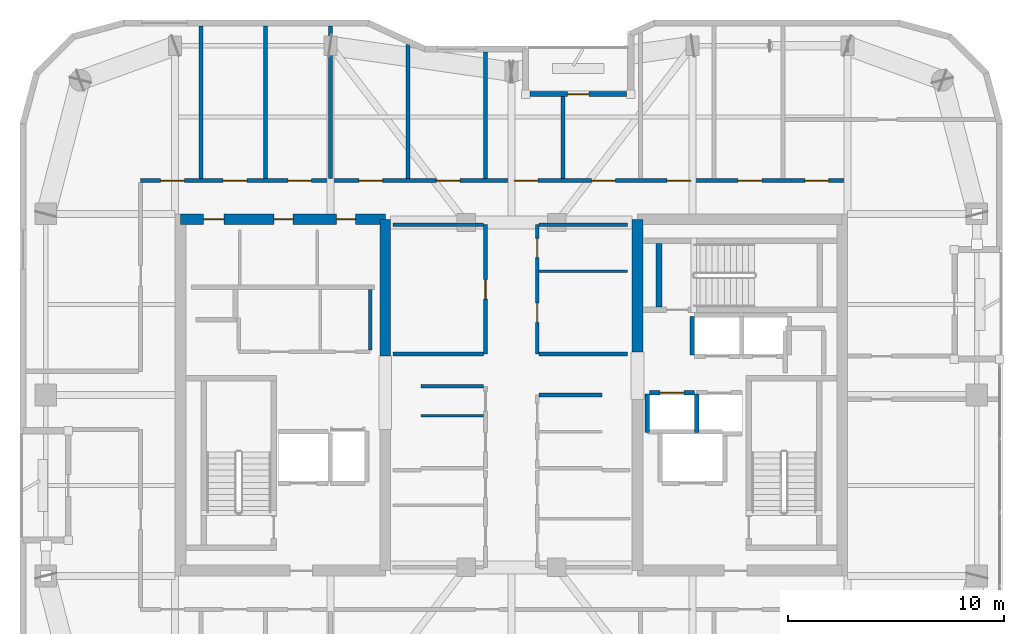
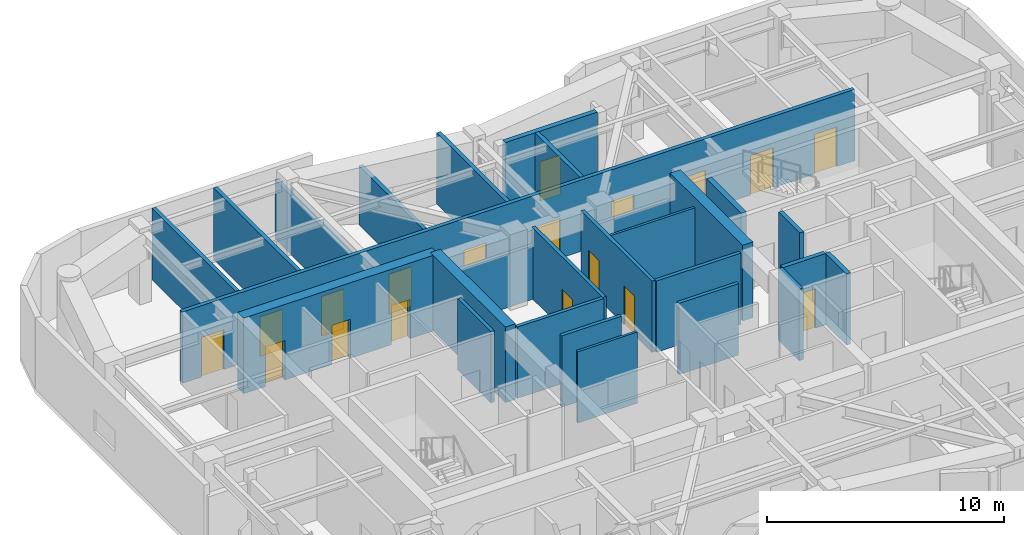
# One storey, part 12 of 16: 27 walls, 18 doors, 18 openings.
"""IFC4 building model written with IfcOpenShell, lengths in metres."""

import ifcopenshell
import ifcopenshell.guid

model = None  # the IFC model being written
_history = None  # IfcOwnerHistory: only IFC2X3 demands one
_inside = {}  # id of a spatial element -> (the spatial element, [elements in it])
_under = {}  # id of a project, library or spatial element -> (it, [spatial elements below it])
_declared = {}  # id of a project -> (the project, [libraries it declares])
_typed = {}  # id of a type object -> (the type object, [elements of that type])
_made_of = {}  # id of a material, layer set ... -> (it, [elements and type objects made of it])


def new_model(schema):
    """Start an empty IFC model of exactly this schema.

    Asked for "IFC4X3", IfcOpenShell would pick the latest addendum, in which some entities
    have other attributes; the version numbers below select the first issue.
    IFC2X3 requires an IfcOwnerHistory on every rooted entity: one is made here for all.
    """
    global model, _history
    if schema == "IFC4X3":
        model = ifcopenshell.file(schema_version=(4, 3, 0, 0))
    else:
        model = ifcopenshell.file(schema=schema)
    _inside.clear()
    _under.clear()
    _declared.clear()
    _typed.clear()
    _made_of.clear()
    _history = None
    if model.schema == "IFC2X3":
        org = make("IfcOrganization", Name="unknown")
        user = make(
            "IfcPersonAndOrganization",
            ThePerson=make("IfcPerson", FamilyName="unknown"),
            TheOrganization=org,
        )
        app = make(
            "IfcApplication",
            ApplicationDeveloper=org,
            Version="unknown",
            ApplicationFullName="unknown",
            ApplicationIdentifier="unknown",
        )
        _history = make(
            "IfcOwnerHistory",
            OwningUser=user,
            OwningApplication=app,
            ChangeAction="ADDED",
            CreationDate=0,
        )
    return model


def make(cls, **values):
    """One entity of the class cls with the attributes given. An attribute that is None is left unset."""
    return model.create_entity(
        cls, **{name: value for name, value in values.items() if value is not None}
    )


def rooted(cls, **values):
    """An entity with a GlobalId (a new one), such as an element, a storey or a relation."""
    return make(cls, GlobalId=ifcopenshell.guid.new(), OwnerHistory=_history, **values)


def si_unit(unit_type, name, prefix=None):
    """IfcSIUnit, for example si_unit("LENGTHUNIT", "METRE", prefix="MILLI")."""
    return make("IfcSIUnit", UnitType=unit_type, Prefix=prefix, Name=name)


def assignment(units):
    """IfcUnitAssignment: the units of a project."""
    return None if units is None else make("IfcUnitAssignment", Units=units)


def point(xyz):
    """IfcCartesianPoint."""
    return None if xyz is None else make("IfcCartesianPoint", Coordinates=xyz)


def direction(xyz):
    """IfcDirection."""
    return None if xyz is None else make("IfcDirection", DirectionRatios=xyz)


def frame(location, z_axis=None, x_axis=None):
    """IfcAxis2Placement3D, a coordinate frame: its origin and axes. An axis left out is left unset."""
    return make(
        "IfcAxis2Placement3D",
        Location=point(location),
        Axis=direction(z_axis),
        RefDirection=direction(x_axis),
    )


def frame_2d(location, x_axis=None):
    """IfcAxis2Placement2D, a coordinate frame in the plane: its origin and x axis."""
    return make(
        "IfcAxis2Placement2D", Location=point(location), RefDirection=direction(x_axis)
    )


def origin():
    """The frame at (0, 0, 0) with its axes left unset."""
    return frame((0.0, 0.0, 0.0))


def place(relative_to, where):
    """IfcLocalPlacement: puts the frame where relative to a parent placement (None: the world)."""
    return make(
        "IfcLocalPlacement", PlacementRelTo=relative_to, RelativePlacement=where
    )


def context(
    kind, dimensions, precision=None, world=None, true_north=None, identifier=None
):
    """IfcGeometricRepresentationContext, for example the 3D "Model" context."""
    return make(
        "IfcGeometricRepresentationContext",
        ContextIdentifier=identifier,
        ContextType=kind,
        CoordinateSpaceDimension=dimensions,
        Precision=precision,
        WorldCoordinateSystem=world,
        TrueNorth=true_north,
    )


def subcontext(parent, identifier, kind, view, scale=None):
    """IfcGeometricRepresentationSubContext, for example "Body" below "Model"."""
    return make(
        "IfcGeometricRepresentationSubContext",
        ContextIdentifier=identifier,
        ContextType=kind,
        ParentContext=parent,
        TargetScale=scale,
        TargetView=view,
    )


def project(units=None, contexts=None):
    """IfcProject with its units and contexts."""
    return rooted(
        "IfcProject",
        Name="project",
        RepresentationContexts=contexts,
        UnitsInContext=assignment(units),
    )


def spatial(cls, under=None, at=None, **own):
    """A site, building, storey or space (cls), placed at a placement, below another one or the project."""
    s = rooted(cls, ObjectPlacement=at, **own)
    if under is not None:
        _under.setdefault(under.id(), (under, []))[1].append(s)
    return s


def profile(cls, at=None, kind="AREA", **sizes):
    """A parametric profile (cls). Its sizes go by their IFC names, for example OverallWidth=200.0."""
    return make(cls, ProfileType=kind, Position=at, **sizes)


def rectangle(**sizes):
    """IfcRectangleProfileDef."""
    return profile("IfcRectangleProfileDef", **sizes)


def extrude(swept, where, along, depth):
    """IfcExtrudedAreaSolid: the profile swept, set in the frame where, extruded along a direction by depth."""
    return make(
        "IfcExtrudedAreaSolid",
        SweptArea=swept,
        Position=where,
        ExtrudedDirection=direction(along),
        Depth=depth,
    )


def shape(context_of_items, identifier, shape_type, items):
    """IfcShapeRepresentation: the items that make up one representation, for example the "Body"."""
    return make(
        "IfcShapeRepresentation",
        ContextOfItems=context_of_items,
        RepresentationIdentifier=identifier,
        RepresentationType=shape_type,
        Items=items,
    )


def material(Name=None, Category=None):
    """IfcMaterial."""
    return make("IfcMaterial", Name=Name, Category=Category)


def layer(
    of_material, thickness, ventilated=None, Name=None, Category=None, Priority=None
):
    """IfcMaterialLayer: one layer of a wall or slab, of a material (None: an air gap)."""
    return make(
        "IfcMaterialLayer",
        Material=of_material,
        LayerThickness=thickness,
        IsVentilated=ventilated,
        Name=Name,
        Category=Category,
        Priority=Priority,
    )


def layer_set(layers, Name=None):
    """IfcMaterialLayerSet."""
    return make("IfcMaterialLayerSet", MaterialLayers=layers, LayerSetName=Name)


def made_of(thing, what):
    """Note that an element or type object is made of a material, layer set ...; save() writes the relation."""
    if what is not None:
        _made_of.setdefault(what.id(), (what, []))[1].append(thing)
    return thing


def type_object(cls, material=None, **own):
    """A type object (cls), such as IfcWallType, which elements share."""
    return made_of(rooted(cls, **own), material)


def element(
    cls,
    number,
    at=None,
    inside=None,
    cuts=None,
    type_object=None,
    material=None,
    context=None,
    identifier="Body",
    shape_type=None,
    held_by="IfcProductDefinitionShape",
    body=None,
    shapes=None,
    **own,
):
    """One element of the class cls, such as IfcWall. Its Tag is "e" and its number.

    at: its placement. inside: the storey or other place that contains it. cuts: it is an
    opening in that element (IfcRelVoidsElement). A single representation is given by context,
    identifier, shape_type and body (its items); several are given by shapes. held_by: the class
    of the entity that holds the representations. save() writes the other relations.
    """
    e = rooted(cls, Tag="e%d" % number, ObjectPlacement=at, **own)
    if body is not None:
        shapes = [shape(context, identifier, shape_type, body)]
    if shapes is not None:
        e.Representation = make(held_by, Representations=shapes)
    if inside is not None:
        _inside.setdefault(inside.id(), (inside, []))[1].append(e)
    if cuts is not None:
        rooted(
            "IfcRelVoidsElement", RelatingBuildingElement=cuts, RelatedOpeningElement=e
        )
    if type_object is not None:
        _typed.setdefault(type_object.id(), (type_object, []))[1].append(e)
    return made_of(e, material)


def fill(opening, filler):
    """IfcRelFillsElement: the door or window that sits in an opening."""
    return rooted(
        "IfcRelFillsElement",
        RelatingOpeningElement=opening,
        RelatedBuildingElement=filler,
    )


def aggregate(whole, parts):
    """IfcRelAggregates: a whole, such as a stair, and the parts it consists of."""
    return rooted("IfcRelAggregates", RelatingObject=whole, RelatedObjects=parts)


def save(model, path):
    """Write the relations noted so far, then the file.

    IfcRelAggregates (storeys below a building ...), IfcRelContainedInSpatialStructure (elements
    in a storey), IfcRelDefinesByType, IfcRelAssociatesMaterial and IfcRelDeclares: one each for
    every whole, place, type object, material and project.
    """
    for whole, parts in _under.values():
        aggregate(whole, parts)
    for where, things in _inside.values():
        rooted(
            "IfcRelContainedInSpatialStructure",
            RelatedElements=things,
            RelatingStructure=where,
        )
    for kind, things in _typed.values():
        rooted("IfcRelDefinesByType", RelatedObjects=things, RelatingType=kind)
    for what, things in _made_of.values():
        rooted("IfcRelAssociatesMaterial", RelatedObjects=things, RelatingMaterial=what)
    for by, libraries in _declared.values():
        rooted("IfcRelDeclares", RelatingContext=by, RelatedDefinitions=libraries)
    model.write(path)


model = new_model("IFC4")

# Units and contexts
model_context = context("Model", 3, precision=1e-05, world=origin(), true_north=direction((0.0, 1.0)))
body_context = subcontext(model_context, "Body", "Model", "MODEL_VIEW")
ifc_project = project(units=[si_unit("LENGTHUNIT", "METRE"), si_unit("AREAUNIT", "SQUARE_METRE"), si_unit("VOLUMEUNIT", "CUBIC_METRE"), si_unit("PLANEANGLEUNIT", "RADIAN"), si_unit("MASSUNIT", "GRAM", prefix="KILO")], contexts=[model_context])

# Site, building, storey
site_placement = place(None, origin())
site = spatial("IfcSite", under=ifc_project, at=site_placement, CompositionType="ELEMENT")
building_placement = place(site_placement, origin())
building = spatial("IfcBuilding", under=site, at=building_placement, Name="Kiyonajd Concourse Tower", CompositionType="ELEMENT")
storey_placement = place(building_placement, frame((0.0, 0.0, 298.5)))
storey = spatial("IfcBuildingStorey", under=building, at=storey_placement, Name="L75", CompositionType="ELEMENT", Elevation=298.5)

# Wall
ifc_material_1 = material(Name="Concrete C60/75", Category="concrete")
ifc_layer_1 = layer(ifc_material_1, 0.5)
ifc_layer_set_1 = layer_set([ifc_layer_1], Name="Concrete C60/75")
wall_type_1 = type_object("IfcWallType", Name="WL-CORE-500", PredefinedType="SHEAR", material=ifc_layer_set_1)
wall_1_placement = place(storey_placement, frame((42.14990234375, 37.800048828125, 0.0), z_axis=(0.0, 0.0, 1.0), x_axis=(0.0, 1.0, 0.0)))
element("IfcWall", 1, at=wall_1_placement, inside=storey, type_object=wall_type_1, Name="L75 West Core Inner North Shear Wall", PredefinedType="SHEAR", context=body_context, shape_type="SweptSolid", body=[
    extrude(rectangle(XDim=6.349853515625, YDim=0.5, at=frame_2d((3.1748046875, 0.0))), origin(), (0.0, 0.0, 1.0), 3.89990234375),
])

# Wall, openings, doors
wall_2_placement = place(storey_placement, frame((32.64990234375, 44.14990234375, 0.0), z_axis=(0.0, 0.0, 1.0), x_axis=(1.0, 0.0, 0.0)))
wall_2 = element("IfcWall", 2, at=wall_2_placement, inside=storey, type_object=wall_type_1, Name="L75 West Core North Shear Wall", PredefinedType="SHEAR", context=body_context, shape_type="SweptSolid", body=[
    extrude(rectangle(XDim=9.5, YDim=0.5, at=frame_2d((4.75, 0.0))), origin(), (0.0, 0.0, 1.0), 3.89990234375),
])
opening_1_placement = place(wall_2_placement, frame((1.074951171875, 0.0, 0.0)))
opening_1 = element("IfcOpeningElement", 3, at=opening_1_placement, cuts=wall_2, Name="Opening DI1", PredefinedType="OPENING", context=body_context, shape_type="SweptSolid", body=[
    extrude(rectangle(XDim=0.949951171875, YDim=2.0400390625, at=frame_2d((0.47509765625, 1.02001953125))), frame((0.0, 0.260009765625, 0.0), z_axis=(0.0, -1.0, 0.0), x_axis=(1.0, 0.0, 0.0)), (0.0, 0.0, 1.0), 0.52001953125),
])
opening_2_placement = place(wall_2_placement, frame((4.324951171875, 0.0, 0.0)))
opening_2 = element("IfcOpeningElement", 4, at=opening_2_placement, cuts=wall_2, Name="Opening DI2", PredefinedType="OPENING", context=body_context, shape_type="SweptSolid", body=[
    extrude(rectangle(XDim=0.89990234375, YDim=2.02001953125, at=frame_2d((0.449951171875, 1.010009765625))), frame((0.0, 0.260009765625, 0.0), z_axis=(0.0, -1.0, 0.0), x_axis=(1.0, 0.0, 0.0)), (0.0, 0.0, 1.0), 0.52001953125),
])
opening_3_placement = place(wall_2_placement, frame((7.22509765625, 0.0, 0.0)))
opening_3 = element("IfcOpeningElement", 5, at=opening_3_placement, cuts=wall_2, Name="Opening DI2", PredefinedType="OPENING", context=body_context, shape_type="SweptSolid", body=[
    extrude(rectangle(XDim=0.89990234375, YDim=2.02001953125, at=frame_2d((0.449951171875, 1.010009765625))), frame((0.0, 0.260009765625, 0.0), z_axis=(0.0, -1.0, 0.0), x_axis=(1.0, 0.0, 0.0)), (0.0, 0.0, 1.0), 0.52001953125),
])
ifc_material_2 = material(Name="Natural Oak Acoustic Timber Veneer", Category="wood")
door_type_1 = type_object("IfcDoorType", Name="DR-INT-900", OperationType="NOTDEFINED", PredefinedType="DOOR", material=ifc_material_2)
door_1_placement = place(opening_2_placement, origin())
door_1 = element("IfcDoor", 6, at=door_1_placement, inside=storey, type_object=door_type_1, Name="L75 Male Restroom Door", OperationType="SINGLE_SWING_RIGHT", OverallHeight=2.02001953125, OverallWidth=0.89990234375, PredefinedType="DOOR", context=body_context, shape_type="SweptSolid", body=[
    extrude(rectangle(XDim=0.89990234375, YDim=2.02001953125, at=frame_2d((0.449951171875, 1.010009765625))), frame((0.0, 0.02490234375, 0.0), z_axis=(0.0, -1.0, 0.0), x_axis=(1.0, 0.0, 0.0)), (0.0, 0.0, 1.0), 0.050048828125),
])
fill(opening_2, door_1)
door_2_placement = place(opening_3_placement, origin())
door_2 = element("IfcDoor", 7, at=door_2_placement, inside=storey, type_object=door_type_1, Name="L75 Female Restroom Door", OperationType="SINGLE_SWING_LEFT", OverallHeight=2.02001953125, OverallWidth=0.89990234375, PredefinedType="DOOR", context=body_context, shape_type="SweptSolid", body=[
    extrude(rectangle(XDim=0.89990234375, YDim=2.02001953125, at=frame_2d((0.449951171875, 1.010009765625))), frame((0.0, 0.02490234375, 0.0), z_axis=(0.0, -1.0, 0.0), x_axis=(1.0, 0.0, 0.0)), (0.0, 0.0, 1.0), 0.050048828125),
])
fill(opening_3, door_2)
door_type_2 = type_object("IfcDoorType", Name="DR-INT-950", OperationType="NOTDEFINED", PredefinedType="DOOR", material=ifc_material_2)
door_3_placement = place(opening_1_placement, origin())
door_3 = element("IfcDoor", 8, at=door_3_placement, inside=storey, type_object=door_type_2, Name="L75 Single User Accessible WC Door", OperationType="SINGLE_SWING_LEFT", OverallHeight=2.0400390625, OverallWidth=0.949951171875, PredefinedType="DOOR", context=body_context, shape_type="SweptSolid", body=[
    extrude(rectangle(XDim=0.949951171875, YDim=2.0400390625, at=frame_2d((0.47509765625, 1.02001953125))), frame((0.0, 0.02490234375, 0.0), z_axis=(0.0, -1.0, 0.0), x_axis=(1.0, 0.0, 0.0)), (0.0, 0.0, 1.0), 0.050048828125),
])
fill(opening_1, door_3)

# Wall
wall_3_placement = place(storey_placement, frame((53.85009765625, 38.0, 0.0), z_axis=(0.0, 0.0, 1.0), x_axis=(0.0, 1.0, 0.0)))
element("IfcWall", 9, at=wall_3_placement, inside=storey, type_object=wall_type_1, Name="L75 East Core Inner North Shear Wall", PredefinedType="SHEAR", context=body_context, shape_type="SweptSolid", body=[
    extrude(rectangle(XDim=6.14990234375, YDim=0.5, at=frame_2d((3.074951171875, 0.0))), origin(), (0.0, 0.0, 1.0), 3.89990234375),
])

# Wall, opening, door
ifc_material_3 = material(Name="Precast concrete C50/60", Category="concrete")
ifc_layer_2 = layer(ifc_material_3, 0.239990234375)
ifc_layer_set_2 = layer_set([ifc_layer_2], Name="Precast concrete C50/60")
wall_type_2 = type_object("IfcWallType", Name="WL-LOG-240", PredefinedType="SOLIDWALL", material=ifc_layer_set_2)
wall_4_placement = place(storey_placement, frame((48.85498046875, 49.9599609375, 0.0), z_axis=(0.0, 0.0, 1.0), x_axis=(1.0, 0.0, 0.0)))
wall_4 = element("IfcWall", 10, at=wall_4_placement, inside=storey, type_object=wall_type_2, Name="L75 Recessed Loggia Thermal Wall LOG-N", PredefinedType="SOLIDWALL", context=body_context, shape_type="SweptSolid", body=[
    extrude(rectangle(XDim=4.489990234375, YDim=0.239990234375, at=frame_2d((2.2451171875, 0.0))), origin(), (0.0, 0.0, 1.0), 3.679931640625),
])
opening_4_placement = place(wall_4_placement, frame((1.7451171875, 0.0, 0.0)))
opening_4 = element("IfcOpeningElement", 11, at=opening_4_placement, cuts=wall_4, Name="Opening DL1", PredefinedType="OPENING", context=body_context, shape_type="SweptSolid", body=[
    extrude(rectangle(XDim=1.0, YDim=2.02001953125, at=frame_2d((0.5, 1.010009765625))), frame((0.0, 0.1298828125, 0.0), z_axis=(0.0, -1.0, 0.0), x_axis=(1.0, 0.0, 0.0)), (0.0, 0.0, 1.0), 0.260009765625),
])
ifc_material_4 = material(Name="Thermally Broken Anodised Aluminium", Category="aluminium")
door_type_3 = type_object("IfcDoorType", Name="DR-LOG-1000", OperationType="NOTDEFINED", PredefinedType="DOOR", material=ifc_material_4)
door_4_placement = place(opening_4_placement, origin())
door_4 = element("IfcDoor", 12, at=door_4_placement, inside=storey, type_object=door_type_3, Name="L75 Engawa Loggia Access Door LOG-N", OperationType="SINGLE_SWING_RIGHT", OverallHeight=2.02001953125, OverallWidth=1.0, PredefinedType="DOOR", context=body_context, shape_type="SweptSolid", body=[
    extrude(rectangle(XDim=1.0, YDim=2.02001953125, at=frame_2d((0.5, 1.010009765625))), frame((0.0, 0.02490234375, 0.0), z_axis=(0.0, -1.0, 0.0), x_axis=(1.0, 0.0, 0.0)), (0.0, 0.0, 1.0), 0.050048828125),
])
fill(opening_4, door_4)

# Walls
ifc_material_5 = material(Name="Gypsum Board on Cold-Formed Steel Stud", Category="steel")
ifc_layer_3 = layer(ifc_material_5, 0.125)
ifc_layer_set_3 = layer_set([ifc_layer_3], Name="Gypsum Board on Cold-Formed Steel Stud")
wall_type_3 = type_object("IfcWallType", Name="WL-PART-125", PredefinedType="PARTITIONING", material=ifc_layer_set_3)
wall_5_placement = place(storey_placement, frame((43.800048828125, 35.031982421875, 0.0), z_axis=(0.0, 0.0, 1.0), x_axis=(1.0, 0.0, 0.0)))
element("IfcWall", 13, at=wall_5_placement, inside=storey, type_object=wall_type_3, Name="L75 Interior Partition Wall", PredefinedType="PARTITIONING", context=body_context, shape_type="SweptSolid", body=[
    extrude(rectangle(XDim=2.912841796875, YDim=0.125, at=frame_2d((1.45654296875, 0.0))), origin(), (0.0, 0.0, 1.0), 3.679931640625),
])
wall_6_placement = place(storey_placement, frame((49.287109375, 41.739990234375, 0.0), z_axis=(0.0, 0.0, 1.0), x_axis=(1.0, 0.0, 0.0)))
element("IfcWall", 14, at=wall_6_placement, inside=storey, type_object=wall_type_3, Name="L75 Interior Partition Wall", PredefinedType="PARTITIONING", context=body_context, shape_type="SweptSolid", body=[
    extrude(rectangle(XDim=4.11279296875, YDim=0.125, at=frame_2d((2.056396484375, 0.0))), origin(), (0.0, 0.0, 1.0), 3.679931640625),
])

# Wall, openings, doors
ifc_layer_4 = layer(ifc_material_5, 0.18994140625)
ifc_layer_set_4 = layer_set([ifc_layer_4], Name="Gypsum Board on Cold-Formed Steel Stud")
wall_type_4 = type_object("IfcWallType", Name="WL-PLMB-190", PredefinedType="PLUMBINGWALL", material=ifc_layer_set_4)
wall_7_placement = place(storey_placement, frame((30.800048828125, 45.949951171875, 0.0), z_axis=(0.0, 0.0, 1.0), x_axis=(1.0, 0.0, 0.0)))
wall_7 = element("IfcWall", 15, at=wall_7_placement, inside=storey, type_object=wall_type_4, Name="L75 Interior Partition Wall", PredefinedType="PLUMBINGWALL", context=body_context, shape_type="SweptSolid", body=[
    extrude(rectangle(XDim=32.800048828125, YDim=0.18994140625, at=frame_2d((16.39990234375, 0.0))), origin(), (0.0, 0.0, 1.0), 3.679931640625),
])
opening_5_placement = place(wall_7_placement, frame((0.925048828125, 0.0, 0.0)))
opening_5 = element("IfcOpeningElement", 16, at=opening_5_placement, cuts=wall_7, Name="Opening DF2", PredefinedType="OPENING", context=body_context, shape_type="SweptSolid", body=[
    extrude(rectangle(XDim=1.10009765625, YDim=2.050048828125, at=frame_2d((0.550048828125, 1.02490234375))), frame((0.0, 0.10498046875, 0.0), z_axis=(0.0, -1.0, 0.0), x_axis=(1.0, 0.0, 0.0)), (0.0, 0.0, 1.0), 0.2099609375),
])
opening_6_placement = place(wall_7_placement, frame((3.824951171875, 0.0, 0.0)))
opening_6 = element("IfcOpeningElement", 17, at=opening_6_placement, cuts=wall_7, Name="Opening DF2", PredefinedType="OPENING", context=body_context, shape_type="SweptSolid", body=[
    extrude(rectangle(XDim=1.10009765625, YDim=2.050048828125, at=frame_2d((0.550048828125, 1.02490234375))), frame((0.0, 0.10498046875, 0.0), z_axis=(0.0, -1.0, 0.0), x_axis=(1.0, 0.0, 0.0)), (0.0, 0.0, 1.0), 0.2099609375),
])
opening_7_placement = place(wall_7_placement, frame((6.824951171875, 0.0, 0.0)))
opening_7 = element("IfcOpeningElement", 18, at=opening_7_placement, cuts=wall_7, Name="Opening DF2", PredefinedType="OPENING", context=body_context, shape_type="SweptSolid", body=[
    extrude(rectangle(XDim=1.10009765625, YDim=2.050048828125, at=frame_2d((0.550048828125, 1.02490234375))), frame((0.0, 0.10498046875, 0.0), z_axis=(0.0, -1.0, 0.0), x_axis=(1.0, 0.0, 0.0)), (0.0, 0.0, 1.0), 0.2099609375),
])
opening_8_placement = place(wall_7_placement, frame((10.125, 0.0, 0.0)))
opening_8 = element("IfcOpeningElement", 19, at=opening_8_placement, cuts=wall_7, Name="Opening DF2", PredefinedType="OPENING", context=body_context, shape_type="SweptSolid", body=[
    extrude(rectangle(XDim=1.10009765625, YDim=2.050048828125, at=frame_2d((0.550048828125, 1.02490234375))), frame((0.0, 0.10498046875, 0.0), z_axis=(0.0, -1.0, 0.0), x_axis=(1.0, 0.0, 0.0)), (0.0, 0.0, 1.0), 0.2099609375),
])
opening_9_placement = place(wall_7_placement, frame((13.72509765625, 0.0, 0.0)))
opening_9 = element("IfcOpeningElement", 20, at=opening_9_placement, cuts=wall_7, Name="Opening DF2", PredefinedType="OPENING", context=body_context, shape_type="SweptSolid", body=[
    extrude(rectangle(XDim=1.10009765625, YDim=2.050048828125, at=frame_2d((0.550048828125, 1.02490234375))), frame((0.0, 0.10498046875, 0.0), z_axis=(0.0, -1.0, 0.0), x_axis=(1.0, 0.0, 0.0)), (0.0, 0.0, 1.0), 0.2099609375),
])
opening_10_placement = place(wall_7_placement, frame((17.324951171875, 0.0, 0.0)))
opening_10 = element("IfcOpeningElement", 21, at=opening_10_placement, cuts=wall_7, Name="Opening DF2", PredefinedType="OPENING", context=body_context, shape_type="SweptSolid", body=[
    extrude(rectangle(XDim=1.10009765625, YDim=2.050048828125, at=frame_2d((0.550048828125, 1.02490234375))), frame((0.0, 0.10498046875, 0.0), z_axis=(0.0, -1.0, 0.0), x_axis=(1.0, 0.0, 0.0)), (0.0, 0.0, 1.0), 0.2099609375),
])
opening_11_placement = place(wall_7_placement, frame((20.925048828125, 0.0, 0.0)))
opening_11 = element("IfcOpeningElement", 22, at=opening_11_placement, cuts=wall_7, Name="Opening DF2", PredefinedType="OPENING", context=body_context, shape_type="SweptSolid", body=[
    extrude(rectangle(XDim=1.10009765625, YDim=2.050048828125, at=frame_2d((0.550048828125, 1.02490234375))), frame((0.0, 0.10498046875, 0.0), z_axis=(0.0, -1.0, 0.0), x_axis=(1.0, 0.0, 0.0)), (0.0, 0.0, 1.0), 0.2099609375),
])
opening_12_placement = place(wall_7_placement, frame((24.425048828125, 0.0, 0.0)))
opening_12 = element("IfcOpeningElement", 23, at=opening_12_placement, cuts=wall_7, Name="Opening DF2", PredefinedType="OPENING", context=body_context, shape_type="SweptSolid", body=[
    extrude(rectangle(XDim=1.10009765625, YDim=2.050048828125, at=frame_2d((0.550048828125, 1.02490234375))), frame((0.0, 0.10498046875, 0.0), z_axis=(0.0, -1.0, 0.0), x_axis=(1.0, 0.0, 0.0)), (0.0, 0.0, 1.0), 0.2099609375),
])
opening_13_placement = place(wall_7_placement, frame((27.72509765625, 0.0, 0.0)))
opening_13 = element("IfcOpeningElement", 24, at=opening_13_placement, cuts=wall_7, Name="Opening DF2", PredefinedType="OPENING", context=body_context, shape_type="SweptSolid", body=[
    extrude(rectangle(XDim=1.10009765625, YDim=2.050048828125, at=frame_2d((0.550048828125, 1.02490234375))), frame((0.0, 0.10498046875, 0.0), z_axis=(0.0, -1.0, 0.0), x_axis=(1.0, 0.0, 0.0)), (0.0, 0.0, 1.0), 0.2099609375),
])
opening_14_placement = place(wall_7_placement, frame((30.824951171875, 0.0, 0.0)))
opening_14 = element("IfcOpeningElement", 25, at=opening_14_placement, cuts=wall_7, Name="Opening DF2", PredefinedType="OPENING", context=body_context, shape_type="SweptSolid", body=[
    extrude(rectangle(XDim=1.10009765625, YDim=2.050048828125, at=frame_2d((0.550048828125, 1.02490234375))), frame((0.0, 0.10498046875, 0.0), z_axis=(0.0, -1.0, 0.0), x_axis=(1.0, 0.0, 0.0)), (0.0, 0.0, 1.0), 0.2099609375),
])
ifc_material_6 = material(Name="Brushed Stainless Steel Cab Assembly", Category="steel")
door_type_4 = type_object("IfcDoorType", Name="DR-FD90-1100", OperationType="NOTDEFINED", PredefinedType="DOOR", material=ifc_material_6)
door_5_placement = place(opening_5_placement, origin())
door_5 = element("IfcDoor", 26, at=door_5_placement, inside=storey, type_object=door_type_4, Name="L75 Interior Door", OperationType="SINGLE_SWING_RIGHT", OverallHeight=2.050048828125, OverallWidth=1.10009765625, PredefinedType="DOOR", context=body_context, shape_type="SweptSolid", body=[
    extrude(rectangle(XDim=1.10009765625, YDim=2.050048828125, at=frame_2d((0.550048828125, 1.02490234375))), frame((0.0, 0.02490234375, 0.0), z_axis=(0.0, -1.0, 0.0), x_axis=(1.0, 0.0, 0.0)), (0.0, 0.0, 1.0), 0.050048828125),
])
fill(opening_5, door_5)
door_6_placement = place(opening_6_placement, origin())
door_6 = element("IfcDoor", 27, at=door_6_placement, inside=storey, type_object=door_type_4, Name="L75 Interior Door", OperationType="SINGLE_SWING_LEFT", OverallHeight=2.050048828125, OverallWidth=1.10009765625, PredefinedType="DOOR", context=body_context, shape_type="SweptSolid", body=[
    extrude(rectangle(XDim=1.10009765625, YDim=2.050048828125, at=frame_2d((0.550048828125, 1.02490234375))), frame((0.0, 0.02490234375, 0.0), z_axis=(0.0, -1.0, 0.0), x_axis=(1.0, 0.0, 0.0)), (0.0, 0.0, 1.0), 0.050048828125),
])
fill(opening_6, door_6)
door_7_placement = place(opening_7_placement, origin())
door_7 = element("IfcDoor", 28, at=door_7_placement, inside=storey, type_object=door_type_4, Name="L75 Interior Door", OperationType="SINGLE_SWING_RIGHT", OverallHeight=2.050048828125, OverallWidth=1.10009765625, PredefinedType="DOOR", context=body_context, shape_type="SweptSolid", body=[
    extrude(rectangle(XDim=1.10009765625, YDim=2.050048828125, at=frame_2d((0.550048828125, 1.02490234375))), frame((0.0, 0.02490234375, 0.0), z_axis=(0.0, -1.0, 0.0), x_axis=(1.0, 0.0, 0.0)), (0.0, 0.0, 1.0), 0.050048828125),
])
fill(opening_7, door_7)
door_8_placement = place(opening_8_placement, origin())
door_8 = element("IfcDoor", 29, at=door_8_placement, inside=storey, type_object=door_type_4, Name="L75 Interior Door", OperationType="SINGLE_SWING_LEFT", OverallHeight=2.050048828125, OverallWidth=1.10009765625, PredefinedType="DOOR", context=body_context, shape_type="SweptSolid", body=[
    extrude(rectangle(XDim=1.10009765625, YDim=2.050048828125, at=frame_2d((0.550048828125, 1.02490234375))), frame((0.0, 0.02490234375, 0.0), z_axis=(0.0, -1.0, 0.0), x_axis=(1.0, 0.0, 0.0)), (0.0, 0.0, 1.0), 0.050048828125),
])
fill(opening_8, door_8)
door_9_placement = place(opening_9_placement, origin())
door_9 = element("IfcDoor", 30, at=door_9_placement, inside=storey, type_object=door_type_4, Name="L75 Interior Door", OperationType="SINGLE_SWING_RIGHT", OverallHeight=2.050048828125, OverallWidth=1.10009765625, PredefinedType="DOOR", context=body_context, shape_type="SweptSolid", body=[
    extrude(rectangle(XDim=1.10009765625, YDim=2.050048828125, at=frame_2d((0.550048828125, 1.02490234375))), frame((0.0, 0.02490234375, 0.0), z_axis=(0.0, -1.0, 0.0), x_axis=(1.0, 0.0, 0.0)), (0.0, 0.0, 1.0), 0.050048828125),
])
fill(opening_9, door_9)
door_10_placement = place(opening_10_placement, origin())
door_10 = element("IfcDoor", 31, at=door_10_placement, inside=storey, type_object=door_type_4, Name="L75 Interior Door", OperationType="SINGLE_SWING_LEFT", OverallHeight=2.050048828125, OverallWidth=1.10009765625, PredefinedType="DOOR", context=body_context, shape_type="SweptSolid", body=[
    extrude(rectangle(XDim=1.10009765625, YDim=2.050048828125, at=frame_2d((0.550048828125, 1.02490234375))), frame((0.0, 0.02490234375, 0.0), z_axis=(0.0, -1.0, 0.0), x_axis=(1.0, 0.0, 0.0)), (0.0, 0.0, 1.0), 0.050048828125),
])
fill(opening_10, door_10)
door_11_placement = place(opening_11_placement, origin())
door_11 = element("IfcDoor", 32, at=door_11_placement, inside=storey, type_object=door_type_4, Name="L75 Interior Door", OperationType="SINGLE_SWING_RIGHT", OverallHeight=2.050048828125, OverallWidth=1.10009765625, PredefinedType="DOOR", context=body_context, shape_type="SweptSolid", body=[
    extrude(rectangle(XDim=1.10009765625, YDim=2.050048828125, at=frame_2d((0.550048828125, 1.02490234375))), frame((0.0, 0.02490234375, 0.0), z_axis=(0.0, -1.0, 0.0), x_axis=(1.0, 0.0, 0.0)), (0.0, 0.0, 1.0), 0.050048828125),
])
fill(opening_11, door_11)
door_12_placement = place(opening_12_placement, origin())
door_12 = element("IfcDoor", 33, at=door_12_placement, inside=storey, type_object=door_type_4, Name="L75 Interior Door", OperationType="SINGLE_SWING_LEFT", OverallHeight=2.050048828125, OverallWidth=1.10009765625, PredefinedType="DOOR", context=body_context, shape_type="SweptSolid", body=[
    extrude(rectangle(XDim=1.10009765625, YDim=2.050048828125, at=frame_2d((0.550048828125, 1.02490234375))), frame((0.0, 0.02490234375, 0.0), z_axis=(0.0, -1.0, 0.0), x_axis=(1.0, 0.0, 0.0)), (0.0, 0.0, 1.0), 0.050048828125),
])
fill(opening_12, door_12)
door_13_placement = place(opening_13_placement, origin())
door_13 = element("IfcDoor", 34, at=door_13_placement, inside=storey, type_object=door_type_4, Name="L75 Interior Door", OperationType="SINGLE_SWING_RIGHT", OverallHeight=2.050048828125, OverallWidth=1.10009765625, PredefinedType="DOOR", context=body_context, shape_type="SweptSolid", body=[
    extrude(rectangle(XDim=1.10009765625, YDim=2.050048828125, at=frame_2d((0.550048828125, 1.02490234375))), frame((0.0, 0.02490234375, 0.0), z_axis=(0.0, -1.0, 0.0), x_axis=(1.0, 0.0, 0.0)), (0.0, 0.0, 1.0), 0.050048828125),
])
fill(opening_13, door_13)
door_14_placement = place(opening_14_placement, origin())
door_14 = element("IfcDoor", 35, at=door_14_placement, inside=storey, type_object=door_type_4, Name="L75 Interior Door", OperationType="SINGLE_SWING_RIGHT", OverallHeight=2.050048828125, OverallWidth=1.10009765625, PredefinedType="DOOR", context=body_context, shape_type="SweptSolid", body=[
    extrude(rectangle(XDim=1.10009765625, YDim=2.050048828125, at=frame_2d((0.550048828125, 1.02490234375))), frame((0.0, 0.02490234375, 0.0), z_axis=(0.0, -1.0, 0.0), x_axis=(1.0, 0.0, 0.0)), (0.0, 0.0, 1.0), 0.050048828125),
])
fill(opening_14, door_14)

# Walls
for number, where, z_axis, x_axis, name in (
    (36, (33.60009765625, 46.047119140625, 0.0), (0.0, 0.0, 1.0), (0.0, 1.0, 0.0), "L75 Interior Partition Wall"),
    (37, (36.60009765625, 46.047119140625, 0.0), (0.0, 0.0, 1.0), (0.0, 1.0, 0.0), "L75 Interior Partition Wall"),
):
    element("IfcWall", number, at=place(storey_placement, frame(where, z_axis=z_axis, x_axis=x_axis)), inside=storey, type_object=wall_type_4, Name=name, PredefinedType="PLUMBINGWALL", context=body_context, shape_type="SweptSolid", body=[
        extrude(rectangle(XDim=7.077880859375, YDim=0.18994140625, at=frame_2d((3.5390625, 0.0))), origin(), (0.0, 0.0, 1.0), 3.679931640625),
    ])
wall_8_placement = place(storey_placement, frame((39.60009765625, 46.047119140625, 0.0), z_axis=(0.0, 0.0, 1.0), x_axis=(0.0, 1.0, 0.0)))
element("IfcWall", 38, at=wall_8_placement, inside=storey, type_object=wall_type_4, Name="L75 Interior Partition Wall", PredefinedType="PLUMBINGWALL", context=body_context, shape_type="SweptSolid", body=[
    extrude(rectangle(XDim=7.077880859375, YDim=0.18994140625, at=frame_2d((3.5390625, 0.0))), origin(), (0.0, 0.0, 1.0), 3.04296875),
])
wall_9_placement = place(storey_placement, frame((43.199951171875, 46.047119140625, 0.0), z_axis=(0.0, 0.0, 1.0), x_axis=(0.0, 1.0, 0.0)))
element("IfcWall", 39, at=wall_9_placement, inside=storey, type_object=wall_type_4, Name="L75 Interior Partition Wall", PredefinedType="PLUMBINGWALL", context=body_context, shape_type="SweptSolid", body=[
    extrude(rectangle(XDim=6.2158203125, YDim=0.18994140625, at=frame_2d((3.10791015625, 0.0))), origin(), (0.0, 0.0, 1.0), 3.04296875),
])
wall_10_placement = place(storey_placement, frame((46.800048828125, 46.047119140625, 0.0), z_axis=(0.0, 0.0, 1.0), x_axis=(0.0, 1.0, 0.0)))
element("IfcWall", 40, at=wall_10_placement, inside=storey, type_object=wall_type_4, Name="L75 Interior Partition Wall", PredefinedType="PLUMBINGWALL", context=body_context, shape_type="SweptSolid", body=[
    extrude(rectangle(XDim=5.8779296875, YDim=0.18994140625, at=frame_2d((2.93896484375, 0.0))), origin(), (0.0, 0.0, 1.0), 3.679931640625),
])
wall_11_placement = place(storey_placement, frame((50.39990234375, 46.047119140625, 0.0), z_axis=(0.0, 0.0, 1.0), x_axis=(0.0, 1.0, 0.0)))
element("IfcWall", 41, at=wall_11_placement, inside=storey, type_object=wall_type_4, Name="L75 Interior Partition Wall", PredefinedType="PLUMBINGWALL", context=body_context, shape_type="SweptSolid", body=[
    extrude(rectangle(XDim=3.7978515625, YDim=0.18994140625, at=frame_2d((1.89892578125, 0.0))), origin(), (0.0, 0.0, 1.0), 3.679931640625),
])

# Wall, opening, door
ifc_layer_5 = layer(ifc_material_5, 0.2099609375)
ifc_layer_set_5 = layer_set([ifc_layer_5], Name="Gypsum Board on Cold-Formed Steel Stud")
wall_type_5 = type_object("IfcWallType", Name="WL-SHAFT-210", PredefinedType="PARTITIONING", material=ifc_layer_set_5)
wall_12_placement = place(storey_placement, frame((54.39990234375, 36.10009765625, 0.0), z_axis=(0.0, 0.0, 1.0), x_axis=(1.0, 0.0, 0.0)))
wall_12 = element("IfcWall", 42, at=wall_12_placement, inside=storey, type_object=wall_type_5, Name="L75 Shaft Enclosure Wall", PredefinedType="PARTITIONING", context=body_context, shape_type="SweptSolid", body=[
    extrude(rectangle(XDim=2.10009765625, YDim=0.2099609375, at=frame_2d((1.050048828125, 0.0))), origin(), (0.0, 0.0, 1.0), 3.679931640625),
])
opening_15_placement = place(wall_12_placement, frame((0.5, 0.0, 0.0)))
opening_15 = element("IfcOpeningElement", 43, at=opening_15_placement, cuts=wall_12, Name="Opening LD1", PredefinedType="OPENING", context=body_context, shape_type="SweptSolid", body=[
    extrude(rectangle(XDim=1.10009765625, YDim=2.0400390625, at=frame_2d((0.550048828125, 1.02001953125))), frame((0.0, 0.114990234375, 0.0), z_axis=(0.0, -1.0, 0.0), x_axis=(1.0, 0.0, 0.0)), (0.0, 0.0, 1.0), 0.22998046875),
])
door_type_5 = type_object("IfcDoorType", Name="DR-LD-1100", OperationType="DOUBLE_DOOR_SLIDING", PredefinedType="DOOR", material=ifc_material_6)
door_15_placement = place(opening_15_placement, origin())
door_15 = element("IfcDoor", 44, at=door_15_placement, inside=storey, type_object=door_type_5, Name="L75 Lift PL-H1 Sliding Landing Door", OperationType="DOUBLE_DOOR_SLIDING", OverallHeight=2.0400390625, OverallWidth=1.10009765625, PredefinedType="DOOR", context=body_context, shape_type="SweptSolid", body=[
    extrude(rectangle(XDim=1.10009765625, YDim=2.0400390625, at=frame_2d((0.550048828125, 1.02001953125))), frame((0.0, 0.02490234375, 0.0), z_axis=(0.0, -1.0, 0.0), x_axis=(1.0, 0.0, 0.0)), (0.0, 0.0, 1.0), 0.050048828125),
])
fill(opening_15, door_15)

# Walls
for number, where, z_axis, x_axis, name in (
    (45, (54.300048828125, 34.260009765625, 0.0), (0.0, 0.0, 1.0), (0.0, 1.0, 0.0), "L75 Shaft Enclosure Wall"),
    (46, (56.60009765625, 34.260009765625, 0.0), (0.0, 0.0, 1.0), (0.0, 1.0, 0.0), "L75 Shaft Enclosure Wall"),
):
    element("IfcWall", number, at=place(storey_placement, frame(where, z_axis=z_axis, x_axis=x_axis)), inside=storey, type_object=wall_type_5, Name=name, PredefinedType="PARTITIONING", context=body_context, shape_type="SweptSolid", body=[
        extrude(rectangle(XDim=1.780029296875, YDim=0.2099609375, at=frame_2d((0.89013671875, 0.0))), origin(), (0.0, 0.0, 1.0), 3.679931640625),
    ])
wall_13_placement = place(storey_placement, frame((56.39990234375, 37.860107421875, 0.0), z_axis=(0.0, 0.0, 1.0), x_axis=(0.0, 1.0, 0.0)))
element("IfcWall", 47, at=wall_13_placement, inside=storey, type_object=wall_type_5, Name="L75 Shaft Enclosure Wall", PredefinedType="PARTITIONING", context=body_context, shape_type="SweptSolid", body=[
    extrude(rectangle(XDim=1.77978515625, YDim=0.2099609375, at=frame_2d((0.889892578125, 0.0))), origin(), (0.0, 0.0, 1.0), 3.679931640625),
])
ifc_layer_6 = layer(ifc_material_5, 0.169921875)
ifc_layer_set_6 = layer_set([ifc_layer_6], Name="Gypsum Board on Cold-Formed Steel Stud")
wall_type_6 = type_object("IfcWallType", Name="WL-SMK-170", PredefinedType="PARTITIONING", material=ifc_layer_set_6)
wall_14_placement = place(storey_placement, frame((41.449951171875, 38.0869140625, 0.0), z_axis=(0.0, 0.0, 1.0), x_axis=(0.0, 1.0, 0.0)))
element("IfcWall", 48, at=wall_14_placement, inside=storey, type_object=wall_type_6, Name="L75 Interior Partition Wall", PredefinedType="PARTITIONING", context=body_context, shape_type="SweptSolid", body=[
    extrude(rectangle(XDim=2.81298828125, YDim=0.169921875, at=frame_2d((1.406494140625, 0.0))), origin(), (0.0, 0.0, 1.0), 3.679931640625),
])
for number, where, z_axis, x_axis, name in (
    (49, (43.800048828125, 36.39990234375, 0.0), (0.0, 0.0, 1.0), (1.0, 0.0, 0.0), "L75 Interior Partition Wall"),
    (50, (49.287109375, 36.0, 0.0), (0.0, 0.0, 1.0), (1.0, 0.0, 0.0), "L75 Interior Partition Wall"),
):
    element("IfcWall", number, at=place(storey_placement, frame(where, z_axis=z_axis, x_axis=x_axis)), inside=storey, type_object=wall_type_6, Name=name, PredefinedType="PARTITIONING", context=body_context, shape_type="SweptSolid", body=[
        extrude(rectangle(XDim=2.912841796875, YDim=0.169921875, at=frame_2d((1.45654296875, 0.0))), origin(), (0.0, 0.0, 1.0), 3.679931640625),
    ])

# Wall, opening, door
wall_15_placement = place(storey_placement, frame((46.800048828125, 37.89990234375, 0.0), z_axis=(0.0, 0.0, 1.0), x_axis=(0.0, 1.0, 0.0)))
wall_15 = element("IfcWall", 51, at=wall_15_placement, inside=storey, type_object=wall_type_6, Name="L75 Interior Partition Wall", PredefinedType="PARTITIONING", context=body_context, shape_type="SweptSolid", body=[
    extrude(rectangle(XDim=6.0, YDim=0.169921875, at=frame_2d((3.0, 0.0))), origin(), (0.0, 0.0, 1.0), 3.679931640625),
])
opening_16_placement = place(wall_15_placement, frame((2.550048828125, 0.0, 0.0)))
opening_16 = element("IfcOpeningElement", 52, at=opening_16_placement, cuts=wall_15, Name="Opening DI2", PredefinedType="OPENING", context=body_context, shape_type="SweptSolid", body=[
    extrude(rectangle(XDim=0.89990234375, YDim=2.02001953125, at=frame_2d((0.449951171875, 1.010009765625))), frame((0.0, 0.094970703125, 0.0), z_axis=(0.0, -1.0, 0.0), x_axis=(1.0, 0.0, 0.0)), (0.0, 0.0, 1.0), 0.18994140625),
])
door_16_placement = place(opening_16_placement, origin())
door_16 = element("IfcDoor", 53, at=door_16_placement, inside=storey, type_object=door_type_1, Name="L75 Interior Door", OperationType="SINGLE_SWING_RIGHT", OverallHeight=2.02001953125, OverallWidth=0.89990234375, PredefinedType="DOOR", context=body_context, shape_type="SweptSolid", body=[
    extrude(rectangle(XDim=0.89990234375, YDim=2.02001953125, at=frame_2d((0.449951171875, 1.010009765625))), frame((0.0, 0.02490234375, 0.0), z_axis=(0.0, -1.0, 0.0), x_axis=(1.0, 0.0, 0.0)), (0.0, 0.0, 1.0), 0.050048828125),
])
fill(opening_16, door_16)

# Walls
wall_16_placement = place(storey_placement, frame((42.5, 37.89990234375, 0.0), z_axis=(0.0, 0.0, 1.0), x_axis=(1.0, 0.0, 0.0)))
element("IfcWall", 54, at=wall_16_placement, inside=storey, type_object=wall_type_6, Name="L75 Interior Partition Wall", PredefinedType="PARTITIONING", context=body_context, shape_type="SweptSolid", body=[
    extrude(rectangle(XDim=4.212890625, YDim=0.169921875, at=frame_2d((2.1064453125, 0.0))), origin(), (0.0, 0.0, 1.0), 3.679931640625),
])
wall_17_placement = place(storey_placement, frame((42.5, 43.89990234375, 0.0), z_axis=(0.0, 0.0, 1.0), x_axis=(1.0, 0.0, 0.0)))
element("IfcWall", 55, at=wall_17_placement, inside=storey, type_object=wall_type_6, Name="L75 Interior Partition Wall", PredefinedType="PARTITIONING", context=body_context, shape_type="SweptSolid", body=[
    extrude(rectangle(XDim=4.212890625, YDim=0.169921875, at=frame_2d((2.1064453125, 0.0))), origin(), (0.0, 0.0, 1.0), 2.764892578125),
])

# Wall, openings, doors
wall_18_placement = place(storey_placement, frame((49.199951171875, 37.89990234375, 0.0), z_axis=(0.0, 0.0, 1.0), x_axis=(0.0, 1.0, 0.0)))
wall_18 = element("IfcWall", 56, at=wall_18_placement, inside=storey, type_object=wall_type_6, Name="L75 Interior Partition Wall", PredefinedType="PARTITIONING", context=body_context, shape_type="SweptSolid", body=[
    extrude(rectangle(XDim=6.0, YDim=0.169921875, at=frame_2d((3.0, 0.0))), origin(), (0.0, 0.0, 1.0), 3.679931640625),
])
opening_17_placement = place(wall_18_placement, frame((1.469970703125, 0.0, 0.0)))
opening_17 = element("IfcOpeningElement", 57, at=opening_17_placement, cuts=wall_18, Name="Opening DF4", PredefinedType="OPENING", context=body_context, shape_type="SweptSolid", body=[
    extrude(rectangle(XDim=0.89990234375, YDim=2.02001953125, at=frame_2d((0.449951171875, 1.010009765625))), frame((0.0, 0.094970703125, 0.0), z_axis=(0.0, -1.0, 0.0), x_axis=(1.0, 0.0, 0.0)), (0.0, 0.0, 1.0), 0.18994140625),
])
opening_18_placement = place(wall_18_placement, frame((4.469970703125, 0.0, 0.0)))
opening_18 = element("IfcOpeningElement", 58, at=opening_18_placement, cuts=wall_18, Name="Opening DF4", PredefinedType="OPENING", context=body_context, shape_type="SweptSolid", body=[
    extrude(rectangle(XDim=0.89990234375, YDim=2.02001953125, at=frame_2d((0.449951171875, 1.010009765625))), frame((0.0, 0.094970703125, 0.0), z_axis=(0.0, -1.0, 0.0), x_axis=(1.0, 0.0, 0.0)), (0.0, 0.0, 1.0), 0.18994140625),
])
door_type_6 = type_object("IfcDoorType", Name="DR-FD60-900", OperationType="NOTDEFINED", PredefinedType="DOOR", material=ifc_material_6)
door_17_placement = place(opening_17_placement, origin())
door_17 = element("IfcDoor", 59, at=door_17_placement, inside=storey, type_object=door_type_6, Name="L75 Interior Door", OperationType="SINGLE_SWING_LEFT", OverallHeight=2.02001953125, OverallWidth=0.89990234375, PredefinedType="DOOR", context=body_context, shape_type="SweptSolid", body=[
    extrude(rectangle(XDim=0.89990234375, YDim=2.02001953125, at=frame_2d((0.449951171875, 1.010009765625))), frame((0.0, 0.02490234375, 0.0), z_axis=(0.0, -1.0, 0.0), x_axis=(1.0, 0.0, 0.0)), (0.0, 0.0, 1.0), 0.050048828125),
])
fill(opening_17, door_17)
door_18_placement = place(opening_18_placement, origin())
door_18 = element("IfcDoor", 60, at=door_18_placement, inside=storey, type_object=door_type_6, Name="L75 Interior Door", OperationType="SINGLE_SWING_RIGHT", OverallHeight=2.02001953125, OverallWidth=0.89990234375, PredefinedType="DOOR", context=body_context, shape_type="SweptSolid", body=[
    extrude(rectangle(XDim=0.89990234375, YDim=2.02001953125, at=frame_2d((0.449951171875, 1.010009765625))), frame((0.0, 0.02490234375, 0.0), z_axis=(0.0, -1.0, 0.0), x_axis=(1.0, 0.0, 0.0)), (0.0, 0.0, 1.0), 0.050048828125),
])
fill(opening_18, door_18)

# Walls
wall_19_placement = place(storey_placement, frame((49.287109375, 37.89990234375, 0.0), z_axis=(0.0, 0.0, 1.0), x_axis=(1.0, 0.0, 0.0)))
element("IfcWall", 61, at=wall_19_placement, inside=storey, type_object=wall_type_6, Name="L75 Interior Partition Wall", PredefinedType="PARTITIONING", context=body_context, shape_type="SweptSolid", body=[
    extrude(rectangle(XDim=4.11279296875, YDim=0.169921875, at=frame_2d((2.056396484375, 0.0))), origin(), (0.0, 0.0, 1.0), 3.679931640625),
])
wall_20_placement = place(storey_placement, frame((49.287109375, 43.89990234375, 0.0), z_axis=(0.0, 0.0, 1.0), x_axis=(1.0, 0.0, 0.0)))
element("IfcWall", 62, at=wall_20_placement, inside=storey, type_object=wall_type_6, Name="L75 Interior Partition Wall", PredefinedType="PARTITIONING", context=body_context, shape_type="SweptSolid", body=[
    extrude(rectangle(XDim=4.11279296875, YDim=0.169921875, at=frame_2d((2.056396484375, 0.0))), origin(), (0.0, 0.0, 1.0), 2.764892578125),
])
ifc_material_7 = material(Name="Concrete C50/60", Category="concrete")
ifc_layer_7 = layer(ifc_material_7, 0.260009765625)
ifc_layer_set_7 = layer_set([ifc_layer_7], Name="Concrete C50/60")
wall_type_7 = type_object("IfcWallType", Name="WL-STAIR-260", PredefinedType="SHEAR", material=ifc_layer_set_7)
wall_21_placement = place(storey_placement, frame((54.85009765625, 40.080078125, 0.0), z_axis=(0.0, 0.0, 1.0), x_axis=(0.0, 1.0, 0.0)))
element("IfcWall", 63, at=wall_21_placement, inside=storey, type_object=wall_type_7, Name="L75 Stair ST3 Structural West Wall", PredefinedType="SHEAR", context=body_context, shape_type="SweptSolid", body=[
    extrude(rectangle(XDim=2.93994140625, YDim=0.260009765625, at=frame_2d((1.469970703125, 0.0))), origin(), (0.0, 0.0, 1.0), 3.89990234375),
])

save(model, "model.ifc")
